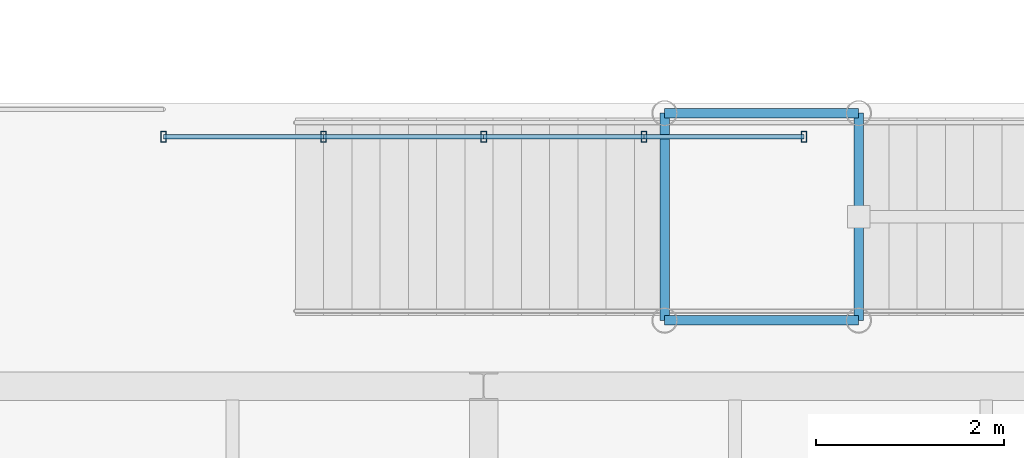
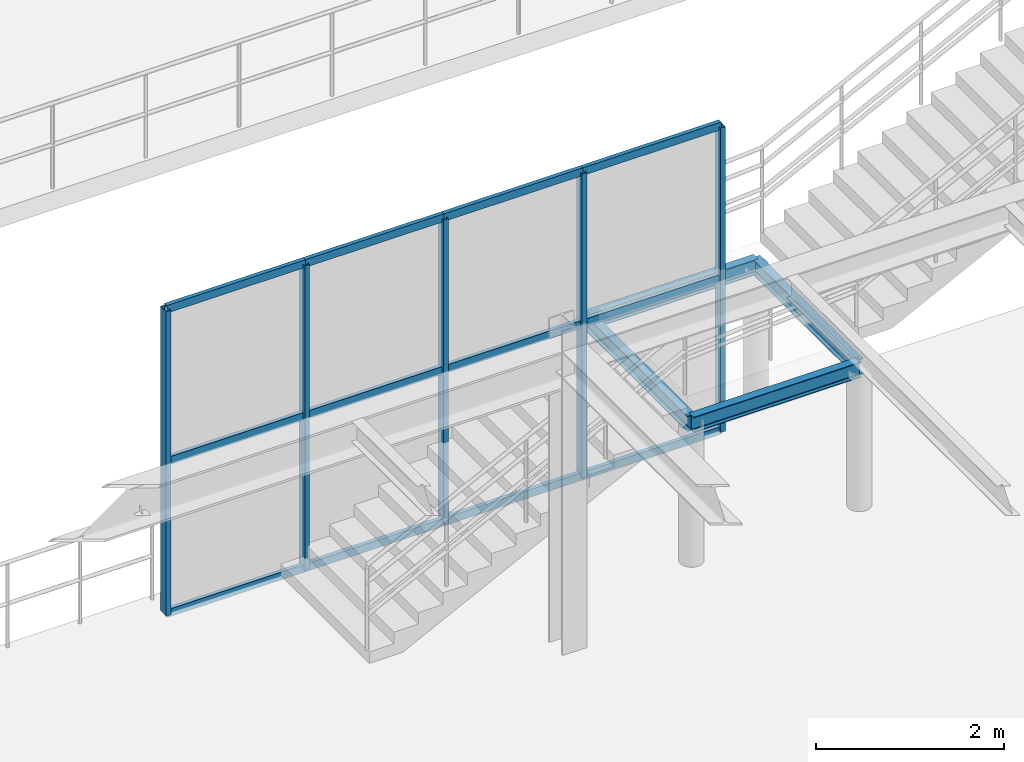
# One storey, part 37 of 124: 17 members, 4 beams, 1 element without a shape of its own.
"""IFC4 building model written with IfcOpenShell, lengths in metres."""

from ifc_helpers import new_model, si_unit, direction, frame, origin, origin_2d, place, context, subcontext, project, spatial, hollow_rectangle, i_section, extrude, material, material_profile, profile_set, type_object, element, aggregate, save


model = new_model("IFC4")

# Units and contexts
model_context = context("Model", 3, precision=1e-05, world=origin(), true_north=direction((0.0, 1.0)))
body_context = subcontext(model_context, "Body", "Model", "MODEL_VIEW")
ifc_project = project(units=[si_unit("LENGTHUNIT", "METRE"), si_unit("AREAUNIT", "SQUARE_METRE"), si_unit("VOLUMEUNIT", "CUBIC_METRE"), si_unit("PLANEANGLEUNIT", "RADIAN"), si_unit("MASSUNIT", "GRAM", prefix="KILO")], contexts=[model_context])

# Site, building, storey
site_placement = place(None, origin())
site = spatial("IfcSite", under=ifc_project, at=site_placement, CompositionType="ELEMENT")
building_placement = place(site_placement, origin())
building = spatial("IfcBuilding", under=site, at=building_placement, Name="Sundkrona Museum", CompositionType="ELEMENT")
storey_placement = place(building_placement, frame((0.0, 0.0, 17.60009765625)))
storey = spatial("IfcBuildingStorey", under=building, at=storey_placement, Name="L03", CompositionType="ELEMENT", Elevation=17.60009765625)

# Beams
ifc_material_1 = material(Name="Steel S355J2", Category="steel")
ifc_material_profile_1 = material_profile(ifc_material_1, i_section(OverallWidth=0.10009765625, OverallDepth=0.199951171875, WebThickness=0.005615234375, FlangeThickness=0.008544921875, FilletRadius=0.011962890625, at=origin_2d()), Name="IPE 200")
ifc_profile_set_1 = profile_set([ifc_material_profile_1], Name="Steel S355J2")
beam_type = type_object("IfcBeamType", Name="J-IPE200", PredefinedType="JOIST", material=ifc_profile_set_1)
for number, where, z_axis, x_axis, name in (
    (1, (97.919921875, 8.699951171875, 1.77978515625), (0.0, 1.0, 0.0), (-1.0, 0.0, 0.0), "Feature Stair FS-4 S1 Trimmer Beam"),
    (2, (99.97998046875, 8.699951171875, 1.77978515625), (0.0, 1.0, 0.0), (-1.0, 0.0, 0.0), "Feature Stair FS-4 S2 Trimmer Beam"),
):
    element("IfcBeam", number, at=place(storey_placement, frame(where, z_axis=z_axis, x_axis=x_axis)), inside=storey, type_object=beam_type, Name=name, PredefinedType="JOIST", context=body_context, shape_type="SweptSolid", body=[
        extrude(i_section(OverallWidth=0.10009765625, OverallDepth=0.199951171875, WebThickness=0.005615234375, FlangeThickness=0.008544921875, FilletRadius=0.011962890625, at=origin_2d()), origin(), (0.0, 0.0, 1.0), 2.199951171875),
    ])
for number, where, z_axis, x_axis, name in (
    (3, (97.919921875, 8.699951171875, 1.77978515625), (1.0, 0.0, 0.0), (0.0, 1.0, 0.0), "Feature Stair FS-4 Landing Stringer L"),
    (4, (97.919921875, 10.89990234375, 1.77978515625), (1.0, 0.0, 0.0), (0.0, 1.0, 0.0), "Feature Stair FS-4 Landing Stringer R"),
):
    element("IfcBeam", number, at=place(storey_placement, frame(where, z_axis=z_axis, x_axis=x_axis)), inside=storey, type_object=beam_type, Name=name, PredefinedType="JOIST", context=body_context, shape_type="SweptSolid", body=[
        extrude(i_section(OverallWidth=0.10009765625, OverallDepth=0.199951171875, WebThickness=0.005615234375, FlangeThickness=0.008544921875, FilletRadius=0.011962890625, at=origin_2d()), origin(), (0.0, 0.0, 1.0), 2.06005859375),
    ])

# Curtain wall, members
ifc_material_2 = material(Name="Unitised Aluminium-Steel and Ceramic-Clad Curtain Walling", Category="steel")
curtain_wall_type = type_object("IfcCurtainWallType", Name="CW-IN-68x36", PredefinedType="NOTDEFINED", material=ifc_material_2)
curtain_wall_placement = place(storey_placement, origin())
curtain_wall = element("IfcCurtainWall", 5, at=curtain_wall_placement, inside=storey, type_object=curtain_wall_type, Name="L03 Curtain Wall CW-L03-075", PredefinedType="NOTDEFINED")
ifc_material_3 = material(Name="Aluminium EN AW-6060 T66", Category="aluminium")
ifc_material_profile_2 = material_profile(ifc_material_3, hollow_rectangle(XDim=0.06005859375, YDim=0.1201171875, WallThickness=0.0048828125, at=origin_2d()), Name="RHS 120x60x5.0")
ifc_profile_set_2 = profile_set([ifc_material_profile_2], Name="Aluminium EN AW-6060 T66")
member_type_1 = type_object("IfcMemberType", Name="ML-120", PredefinedType="MULLION", material=ifc_profile_set_2)
member_1_placement = place(storey_placement, frame((92.60009765625, 10.64990234375, -0.004150390625), z_axis=(0.0, 0.0, 1.0), x_axis=(1.0, 0.0, 0.0)))
member_1 = element("IfcMember", 6, at=member_1_placement, type_object=member_type_1, Name="CW-L03-075 Mullion 01", PredefinedType="MULLION", context=body_context, shape_type="SweptSolid", body=[
    extrude(hollow_rectangle(XDim=0.06005859375, YDim=0.1201171875, WallThickness=0.0048828125, at=origin_2d()), origin(), (0.0, 0.0, 1.0), 3.947998046875),
])
member_2_placement = place(storey_placement, frame((94.300048828125, 10.64990234375, -0.004150390625), z_axis=(0.0, 0.0, 1.0), x_axis=(1.0, 0.0, 0.0)))
member_2 = element("IfcMember", 7, at=member_2_placement, type_object=member_type_1, Name="CW-L03-075 Mullion 02", PredefinedType="MULLION", context=body_context, shape_type="SweptSolid", body=[
    extrude(hollow_rectangle(XDim=0.06005859375, YDim=0.1201171875, WallThickness=0.0048828125, at=origin_2d()), origin(), (0.0, 0.0, 1.0), 3.947998046875),
])
member_3_placement = place(storey_placement, frame((96.0, 10.64990234375, -0.004150390625), z_axis=(0.0, 0.0, 1.0), x_axis=(1.0, 0.0, 0.0)))
member_3 = element("IfcMember", 8, at=member_3_placement, type_object=member_type_1, Name="CW-L03-075 Mullion 03", PredefinedType="MULLION", context=body_context, shape_type="SweptSolid", body=[
    extrude(hollow_rectangle(XDim=0.06005859375, YDim=0.1201171875, WallThickness=0.0048828125, at=origin_2d()), origin(), (0.0, 0.0, 1.0), 3.947998046875),
])
member_4_placement = place(storey_placement, frame((97.699951171875, 10.64990234375, -0.004150390625), z_axis=(0.0, 0.0, 1.0), x_axis=(1.0, 0.0, 0.0)))
member_4 = element("IfcMember", 9, at=member_4_placement, type_object=member_type_1, Name="CW-L03-075 Mullion 04", PredefinedType="MULLION", context=body_context, shape_type="SweptSolid", body=[
    extrude(hollow_rectangle(XDim=0.06005859375, YDim=0.1201171875, WallThickness=0.0048828125, at=origin_2d()), origin(), (0.0, 0.0, 1.0), 3.947998046875),
])
member_5_placement = place(storey_placement, frame((99.39990234375, 10.64990234375, -0.004150390625), z_axis=(0.0, 0.0, 1.0), x_axis=(1.0, 0.0, 0.0)))
member_5 = element("IfcMember", 10, at=member_5_placement, type_object=member_type_1, Name="CW-L03-075 Mullion 05", PredefinedType="MULLION", context=body_context, shape_type="SweptSolid", body=[
    extrude(hollow_rectangle(XDim=0.06005859375, YDim=0.1201171875, WallThickness=0.0048828125, at=origin_2d()), origin(), (0.0, 0.0, 1.0), 3.947998046875),
])
ifc_material_profile_3 = material_profile(ifc_material_3, hollow_rectangle(XDim=0.050048828125, YDim=0.10009765625, WallThickness=0.0048828125, at=origin_2d()), Name="RHS 100x50x5.0")
ifc_profile_set_3 = profile_set([ifc_material_profile_3], Name="Aluminium EN AW-6060 T66")
member_type_2 = type_object("IfcMemberType", Name="TR-100", PredefinedType="USERDEFINED", material=ifc_profile_set_3)
member_6_placement = place(storey_placement, frame((92.60009765625, 10.64990234375, -0.004150390625), z_axis=(1.0, 0.0, 0.0), x_axis=(0.0, 1.0, 0.0)))
member_6 = element("IfcMember", 11, at=member_6_placement, type_object=member_type_2, Name="CW-L03-075 Transom 01", ObjectType="TRANSOM", PredefinedType="USERDEFINED", context=body_context, shape_type="SweptSolid", body=[
    extrude(hollow_rectangle(XDim=0.050048828125, YDim=0.10009765625, WallThickness=0.0048828125, at=origin_2d()), origin(), (0.0, 0.0, 1.0), 1.699951171875),
])
member_7_placement = place(storey_placement, frame((92.60009765625, 10.64990234375, 1.969970703125), z_axis=(1.0, 0.0, 0.0), x_axis=(0.0, 1.0, 0.0)))
member_7 = element("IfcMember", 12, at=member_7_placement, type_object=member_type_2, Name="CW-L03-075 Transom 02", ObjectType="TRANSOM", PredefinedType="USERDEFINED", context=body_context, shape_type="SweptSolid", body=[
    extrude(hollow_rectangle(XDim=0.050048828125, YDim=0.10009765625, WallThickness=0.0048828125, at=origin_2d()), origin(), (0.0, 0.0, 1.0), 1.699951171875),
])
member_8_placement = place(storey_placement, frame((92.60009765625, 10.64990234375, 3.94384765625), z_axis=(1.0, 0.0, 0.0), x_axis=(0.0, 1.0, 0.0)))
member_8 = element("IfcMember", 13, at=member_8_placement, type_object=member_type_2, Name="CW-L03-075 Transom 03", ObjectType="TRANSOM", PredefinedType="USERDEFINED", context=body_context, shape_type="SweptSolid", body=[
    extrude(hollow_rectangle(XDim=0.050048828125, YDim=0.10009765625, WallThickness=0.0048828125, at=origin_2d()), origin(), (0.0, 0.0, 1.0), 1.699951171875),
])
member_9_placement = place(storey_placement, frame((94.300048828125, 10.64990234375, -0.004150390625), z_axis=(1.0, 0.0, 0.0), x_axis=(0.0, 1.0, 0.0)))
member_9 = element("IfcMember", 14, at=member_9_placement, type_object=member_type_2, Name="CW-L03-075 Transom 04", ObjectType="TRANSOM", PredefinedType="USERDEFINED", context=body_context, shape_type="SweptSolid", body=[
    extrude(hollow_rectangle(XDim=0.050048828125, YDim=0.10009765625, WallThickness=0.0048828125, at=origin_2d()), origin(), (0.0, 0.0, 1.0), 1.699951171875),
])
member_10_placement = place(storey_placement, frame((94.300048828125, 10.64990234375, 1.969970703125), z_axis=(1.0, 0.0, 0.0), x_axis=(0.0, 1.0, 0.0)))
member_10 = element("IfcMember", 15, at=member_10_placement, type_object=member_type_2, Name="CW-L03-075 Transom 05", ObjectType="TRANSOM", PredefinedType="USERDEFINED", context=body_context, shape_type="SweptSolid", body=[
    extrude(hollow_rectangle(XDim=0.050048828125, YDim=0.10009765625, WallThickness=0.0048828125, at=origin_2d()), origin(), (0.0, 0.0, 1.0), 1.699951171875),
])
member_11_placement = place(storey_placement, frame((94.300048828125, 10.64990234375, 3.94384765625), z_axis=(1.0, 0.0, 0.0), x_axis=(0.0, 1.0, 0.0)))
member_11 = element("IfcMember", 16, at=member_11_placement, type_object=member_type_2, Name="CW-L03-075 Transom 06", ObjectType="TRANSOM", PredefinedType="USERDEFINED", context=body_context, shape_type="SweptSolid", body=[
    extrude(hollow_rectangle(XDim=0.050048828125, YDim=0.10009765625, WallThickness=0.0048828125, at=origin_2d()), origin(), (0.0, 0.0, 1.0), 1.699951171875),
])
member_12_placement = place(storey_placement, frame((96.0, 10.64990234375, -0.004150390625), z_axis=(1.0, 0.0, 0.0), x_axis=(0.0, 1.0, 0.0)))
member_12 = element("IfcMember", 17, at=member_12_placement, type_object=member_type_2, Name="CW-L03-075 Transom 07", ObjectType="TRANSOM", PredefinedType="USERDEFINED", context=body_context, shape_type="SweptSolid", body=[
    extrude(hollow_rectangle(XDim=0.050048828125, YDim=0.10009765625, WallThickness=0.0048828125, at=origin_2d()), origin(), (0.0, 0.0, 1.0), 1.699951171875),
])
member_13_placement = place(storey_placement, frame((96.0, 10.64990234375, 1.969970703125), z_axis=(1.0, 0.0, 0.0), x_axis=(0.0, 1.0, 0.0)))
member_13 = element("IfcMember", 18, at=member_13_placement, type_object=member_type_2, Name="CW-L03-075 Transom 08", ObjectType="TRANSOM", PredefinedType="USERDEFINED", context=body_context, shape_type="SweptSolid", body=[
    extrude(hollow_rectangle(XDim=0.050048828125, YDim=0.10009765625, WallThickness=0.0048828125, at=origin_2d()), origin(), (0.0, 0.0, 1.0), 1.699951171875),
])
member_14_placement = place(storey_placement, frame((96.0, 10.64990234375, 3.94384765625), z_axis=(1.0, 0.0, 0.0), x_axis=(0.0, 1.0, 0.0)))
member_14 = element("IfcMember", 19, at=member_14_placement, type_object=member_type_2, Name="CW-L03-075 Transom 09", ObjectType="TRANSOM", PredefinedType="USERDEFINED", context=body_context, shape_type="SweptSolid", body=[
    extrude(hollow_rectangle(XDim=0.050048828125, YDim=0.10009765625, WallThickness=0.0048828125, at=origin_2d()), origin(), (0.0, 0.0, 1.0), 1.699951171875),
])
member_15_placement = place(storey_placement, frame((97.699951171875, 10.64990234375, -0.004150390625), z_axis=(1.0, 0.0, 0.0), x_axis=(0.0, 1.0, 0.0)))
member_15 = element("IfcMember", 20, at=member_15_placement, type_object=member_type_2, Name="CW-L03-075 Transom 10", ObjectType="TRANSOM", PredefinedType="USERDEFINED", context=body_context, shape_type="SweptSolid", body=[
    extrude(hollow_rectangle(XDim=0.050048828125, YDim=0.10009765625, WallThickness=0.0048828125, at=origin_2d()), origin(), (0.0, 0.0, 1.0), 1.699951171875),
])
member_16_placement = place(storey_placement, frame((97.699951171875, 10.64990234375, 1.969970703125), z_axis=(1.0, 0.0, 0.0), x_axis=(0.0, 1.0, 0.0)))
member_16 = element("IfcMember", 21, at=member_16_placement, type_object=member_type_2, Name="CW-L03-075 Transom 11", ObjectType="TRANSOM", PredefinedType="USERDEFINED", context=body_context, shape_type="SweptSolid", body=[
    extrude(hollow_rectangle(XDim=0.050048828125, YDim=0.10009765625, WallThickness=0.0048828125, at=origin_2d()), origin(), (0.0, 0.0, 1.0), 1.699951171875),
])
member_17_placement = place(storey_placement, frame((97.699951171875, 10.64990234375, 3.94384765625), z_axis=(1.0, 0.0, 0.0), x_axis=(0.0, 1.0, 0.0)))
member_17 = element("IfcMember", 22, at=member_17_placement, type_object=member_type_2, Name="CW-L03-075 Transom 12", ObjectType="TRANSOM", PredefinedType="USERDEFINED", context=body_context, shape_type="SweptSolid", body=[
    extrude(hollow_rectangle(XDim=0.050048828125, YDim=0.10009765625, WallThickness=0.0048828125, at=origin_2d()), origin(), (0.0, 0.0, 1.0), 1.699951171875),
])
aggregate(curtain_wall, [member_1, member_2, member_3, member_4, member_5, member_6, member_7, member_8, member_9, member_10, member_11, member_12, member_13, member_14, member_15, member_16, member_17])

save(model, "model.ifc")
